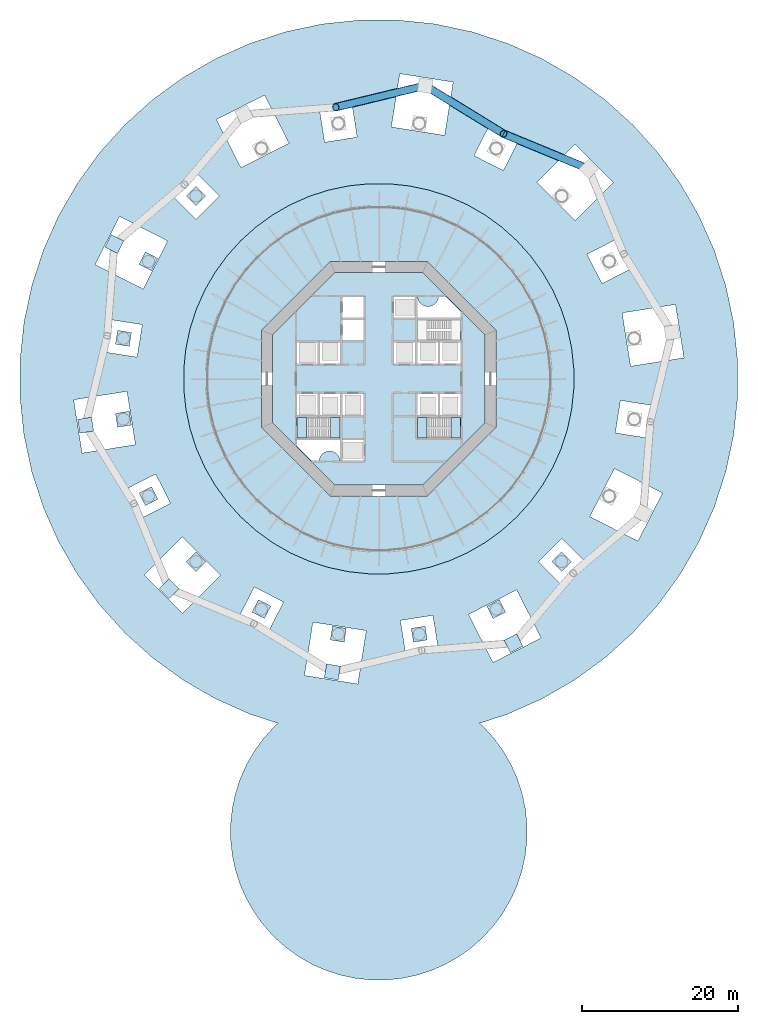
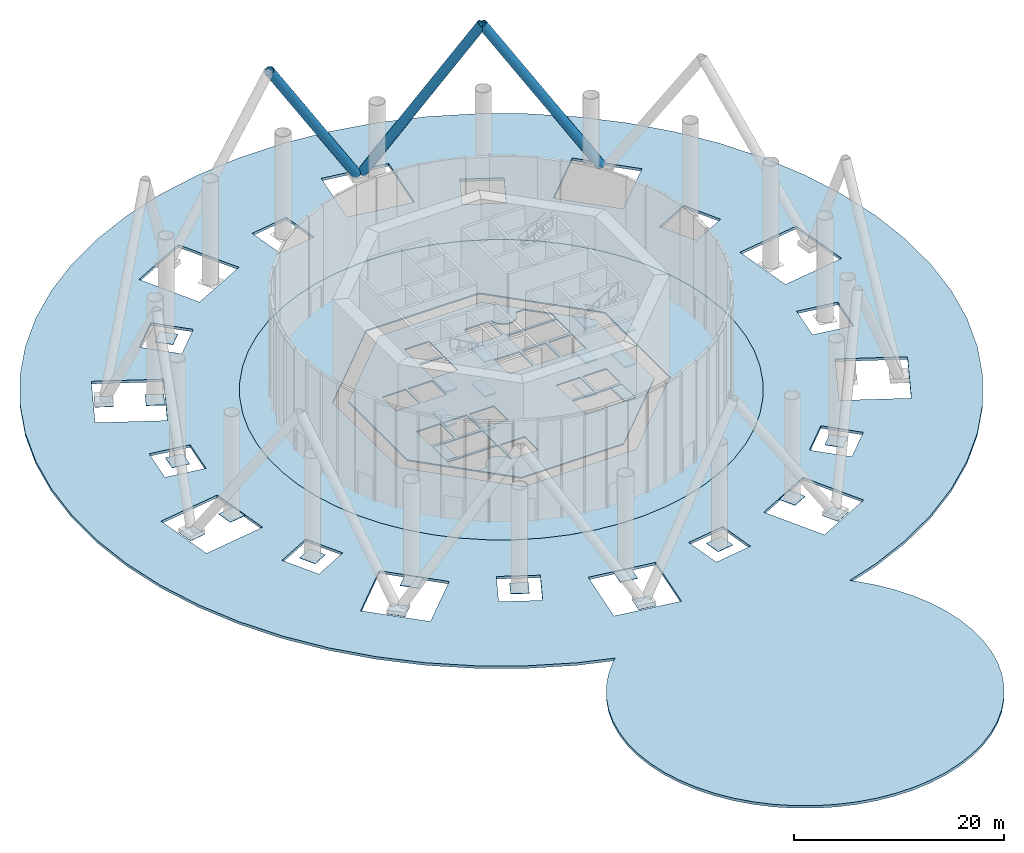
# One storey, part 2 of 12: 16 plates, 15 slabs, 3 members, 2 elements without a shape of their own.
"""IFC4 building model written with IfcOpenShell, lengths in metres."""

from ifc_helpers import new_model, si_unit, direction, frame, origin, origin_2d, place, context, subcontext, project, spatial, polyline, rectangle, circle, hollow_circle, outline, extrude, material, layer, layer_set, material_profile, profile_set, type_object, element, aggregate, save


model = new_model("IFC4")

# Units and contexts
model_context = context("Model", 3, precision=1e-05, world=origin(), true_north=direction((0.0, 1.0)))
body_context = subcontext(model_context, "Body", "Model", "MODEL_VIEW")
ifc_project = project(units=[si_unit("LENGTHUNIT", "METRE"), si_unit("AREAUNIT", "SQUARE_METRE"), si_unit("VOLUMEUNIT", "CUBIC_METRE"), si_unit("PLANEANGLEUNIT", "RADIAN"), si_unit("MASSUNIT", "GRAM", prefix="KILO")], contexts=[model_context])

# Site, building, storey
site_placement = place(None, origin())
site = spatial("IfcSite", under=ifc_project, at=site_placement, CompositionType="ELEMENT")
building_placement = place(site_placement, origin())
building = spatial("IfcBuilding", under=site, at=building_placement, Name="Entoto Ring Tower", CompositionType="ELEMENT")
storey_placement = place(building_placement, origin())
storey = spatial("IfcBuildingStorey", under=building, at=storey_placement, Name="L00", CompositionType="ELEMENT", Elevation=0.0)

# Members
ifc_material_1 = material(Name="Steel S355", Category="steel")
ifc_material_profile_1 = material_profile(ifc_material_1, hollow_circle(Radius=0.5, WallThickness=0.050048828125, at=origin_2d()), Name="CHS 1000 x 50")
ifc_material_2 = material(Name="Concrete C60/75", Category="concrete")
ifc_material_profile_2 = material_profile(ifc_material_2, circle(Radius=0.449951171875, at=origin_2d()), Name="Concrete C60/75 infill")
ifc_profile_set = profile_set([ifc_material_profile_1, ifc_material_profile_2], Name="Steel S355")
member_type = type_object("IfcMemberType", Name="Stilt leg brace 1000 x 50 concrete-filled tube", PredefinedType="BRACE", material=ifc_profile_set)
for number, where, z_axis, x_axis, name in (
    (1, (116.567626953125, 106.994873046875, 0.5), (-0.506207498888, 0.208879902804, 0.836733622053), (-0.381439083043, -0.924393977656, 0.0), "LG module 1 04"),
    (2, (96.223388671875, 117.36083984375, 0.5), (0.466521162683, -0.286753218098, 0.836738069338), (0.52365134425, 0.85193266733, 0.0), "LG module 1 05"),
):
    element("IfcMember", number, at=place(storey_placement, frame(where, z_axis=z_axis, x_axis=x_axis)), inside=storey, type_object=member_type, Name=name, PredefinedType="BRACE", context=body_context, shape_type="SweptSolid", body=[
        extrude(hollow_circle(Radius=0.5, WallThickness=0.050048828125, at=origin_2d()), origin(), (0.0, 0.0, 1.0), 20.91455078125),
    ])
member_placement = place(storey_placement, frame((95.62646484375, 117.455322265625, 0.5), z_axis=(-0.532308046081, -0.128556577959, 0.836732544091), x_axis=(0.23475861041, -0.972053699565, 0.0)))
element("IfcMember", 3, at=member_placement, inside=storey, type_object=member_type, Name="LG module 1 06", PredefinedType="BRACE", context=body_context, shape_type="SweptSolid", body=[
    extrude(hollow_circle(Radius=0.5, WallThickness=0.050048828125, at=origin_2d()), origin(), (0.0, 0.0, 1.0), 20.914794921875),
])

# Plates
ifc_material_3 = material(Name="Steel S355", Category="steel")
ifc_layer_1 = layer(ifc_material_3, 0.0400390625)
ifc_layer_set_1 = layer_set([ifc_layer_1], Name="Steel S355")
plate_type = type_object("IfcPlateType", Name="Base plate 1800 x 1800 x 40 mm", PredefinedType="USERDEFINED", material=ifc_layer_set_1)
for number, where, z_axis, x_axis, name in (
    (4, (66.5947265625, 103.4052734375, 0.0), (0.0, 0.0, 1.0), (-0.707106781187, 0.707106781187, 0.0), "BASE PLATE R08"),
    (5, (60.507568359375, 95.027099609375, 0.0), (0.0, 0.0, 1.0), (-0.891006524188, 0.45399049974, 0.0), "BASE PLATE R09"),
    (6, (57.3076171875, 85.177978515625, 0.0), (0.0, 0.0, 1.0), (-0.987688340595, 0.15643446504, 0.0), "BASE PLATE R10"),
    (7, (57.3076171875, 74.822021484375, 0.0), (0.0, 0.0, 1.0), (-0.987688340595, -0.15643446504, 0.0), "BASE PLATE R11"),
    (8, (60.507568359375, 64.972900390625, 0.0), (0.0, 0.0, 1.0), (-0.891006524188, -0.45399049974, 0.0), "BASE PLATE R12"),
    (9, (66.5947265625, 56.5947265625, 0.0), (0.0, 0.0, 1.0), (-0.707106781187, -0.707106781187, 0.0), "BASE PLATE R13"),
    (10, (74.972900390625, 50.507568359375, 0.0), (0.0, 0.0, 1.0), (-0.45399049974, -0.891006524188, 0.0), "BASE PLATE R14"),
    (11, (84.822021484375, 47.3076171875, 0.0), (0.0, 0.0, 1.0), (-0.15643446504, -0.987688340595, 0.0), "BASE PLATE R15"),
    (12, (95.177978515625, 47.3076171875, 0.0), (0.0, 0.0, 1.0), (0.15643446504, -0.987688340595, 0.0), "BASE PLATE R16"),
    (13, (105.027099609375, 50.507568359375, 0.0), (0.0, 0.0, 1.0), (0.45399049974, -0.891006524188, 0.0), "BASE PLATE R17"),
    (14, (113.4052734375, 56.5947265625, 0.0), (0.0, 0.0, 1.0), (0.707106781187, -0.707106781187, 0.0), "BASE PLATE R18"),
    (15, (56.141845703125, 97.251708984375, 0.0), (0.0, 0.0, 1.0), (-0.891006524188, 0.45399049974, 0.0), "BASE PLATE LEG 05"),
    (16, (52.4677734375, 74.055419921875, 0.0), (0.0, 0.0, 1.0), (-0.987688340595, -0.15643446504, 0.0), "BASE PLATE LEG 06"),
    (17, (63.1298828125, 53.1298828125, 0.0), (0.0, 0.0, 1.0), (-0.707106781187, -0.707106781187, 0.0), "BASE PLATE LEG 07"),
    (18, (84.055419921875, 42.4677734375, 0.0), (0.0, 0.0, 1.0), (-0.15643446504, -0.987688340595, 0.0), "BASE PLATE LEG 08"),
    (19, (107.251708984375, 46.141845703125, 0.0), (0.0, 0.0, 1.0), (0.45399049974, -0.891006524188, 0.0), "BASE PLATE LEG 09"),
):
    element("IfcPlate", number, at=place(storey_placement, frame(where, z_axis=z_axis, x_axis=x_axis)), inside=storey, type_object=plate_type, Name=name, ObjectType="BASE_PLATE", PredefinedType="USERDEFINED", context=body_context, shape_type="SweptSolid", body=[
        extrude(rectangle(XDim=1.800048828125, YDim=1.800048828125, at=origin_2d()), origin(), (0.0, 0.0, 1.0), 0.0400390625),
    ])

# Slabs
ifc_material_4 = material(Name="Concrete C30/37", Category="concrete")
ifc_layer_2 = layer(ifc_material_4, 0.14990234375)
ifc_layer_set_2 = layer_set([ifc_layer_2], Name="Concrete C30/37")
slab_type_1 = type_object("IfcSlabType", Name="Composite floor slab 150 mm", PredefinedType="FLOOR", material=ifc_layer_set_2)
slab_1_placement = place(storey_placement, frame((0.0, 0.0, -0.14990234375)))
element("IfcSlab", 20, at=slab_1_placement, inside=storey, type_object=slab_type_1, Name="Floor slab L00", PredefinedType="FLOOR", context=body_context, shape_type="SweptSolid", body=[
    extrude(outline(polyline([(114.692138671875, 83.910888671875), (114.148193359375, 86.470458984375), (113.339599609375, 88.959228515625), (112.275146484375, 91.349853515625), (110.966796875, 93.615966796875), (109.4287109375, 95.73291015625), (107.677734375, 97.677734375), (105.73291015625, 99.4287109375), (103.615966796875, 100.966796875), (101.349853515625, 102.275146484375), (98.959228515625, 103.339599609375), (96.470458984375, 104.148193359375), (93.910888671875, 104.692138671875), (91.308349609375, 104.9658203125), (88.691650390625, 104.9658203125), (86.089111328125, 104.692138671875), (83.529541015625, 104.148193359375), (81.040771484375, 103.339599609375), (78.650146484375, 102.275146484375), (76.384033203125, 100.966796875), (74.26708984375, 99.4287109375), (72.322265625, 97.677734375), (70.5712890625, 95.73291015625), (69.033203125, 93.615966796875), (67.724853515625, 91.349853515625), (66.660400390625, 88.959228515625), (65.851806640625, 86.470458984375), (65.307861328125, 83.910888671875), (65.0341796875, 81.308349609375), (65.0341796875, 78.691650390625), (65.307861328125, 76.089111328125), (65.851806640625, 73.529541015625), (66.660400390625, 71.040771484375), (67.724853515625, 68.650146484375), (69.033203125, 66.384033203125), (70.5712890625, 64.26708984375), (72.322265625, 62.322265625), (74.26708984375, 60.5712890625), (76.384033203125, 59.033203125), (78.650146484375, 57.724853515625), (81.040771484375, 56.660400390625), (83.529541015625, 55.851806640625), (86.089111328125, 55.307861328125), (88.691650390625, 55.0341796875), (91.308349609375, 55.0341796875), (93.910888671875, 55.307861328125), (96.470458984375, 55.851806640625), (98.959228515625, 56.660400390625), (101.349853515625, 57.724853515625), (103.615966796875, 59.033203125), (105.73291015625, 60.5712890625), (107.677734375, 62.322265625), (109.4287109375, 64.26708984375), (110.966796875, 66.384033203125), (112.275146484375, 68.650146484375), (113.339599609375, 71.040771484375), (114.148193359375, 73.529541015625), (114.692138671875, 76.089111328125), (114.9658203125, 78.691650390625), (114.9658203125, 81.308349609375), (114.692138671875, 83.910888671875)]), holes=[polyline([(105.0, 73.786865234375), (105.0, 86.213134765625), (96.213134765625, 95.0), (83.786865234375, 95.0), (75.0, 86.213134765625), (75.0, 73.786865234375), (83.786865234375, 65.0), (96.213134765625, 65.0), (105.0, 73.786865234375)])]), origin(), (0.0, 0.0, 1.0), 0.14990234375),
])
ifc_material_5 = material(Name="Concrete C40/50", Category="concrete")
ifc_layer_3 = layer(ifc_material_5, 0.14990234375)
ifc_layer_set_3 = layer_set([ifc_layer_3], Name="Concrete C40/50")
slab_type_2 = type_object("IfcSlabType", Name="Core floor slab 150 mm reinforced concrete C40/50", PredefinedType="FLOOR", material=ifc_layer_set_3)
slab_2_placement = place(storey_placement, frame((0.0, 0.0, -0.14990234375)))
element("IfcSlab", 21, at=slab_2_placement, inside=storey, type_object=slab_type_2, Name="Core floor L00", PredefinedType="FLOOR", context=body_context, shape_type="SweptSolid", body=[
    extrude(outline(polyline([(103.60009765625, 74.36669921875), (103.60009765625, 85.63330078125), (95.63330078125, 93.60009765625), (84.36669921875, 93.60009765625), (76.39990234375, 85.63330078125), (76.39990234375, 74.36669921875), (84.36669921875, 66.39990234375), (95.63330078125, 66.39990234375), (103.60009765625, 74.36669921875)]), holes=[polyline([(100.449951171875, 84.949951171875), (100.449951171875, 87.550048828125), (94.949951171875, 87.550048828125), (94.949951171875, 84.949951171875), (100.449951171875, 84.949951171875)]), polyline([(85.050048828125, 72.449951171875), (85.050048828125, 75.050048828125), (79.550048828125, 75.050048828125), (79.550048828125, 72.449951171875), (85.050048828125, 72.449951171875)]), polyline([(100.449951171875, 72.449951171875), (100.449951171875, 75.050048828125), (94.949951171875, 75.050048828125), (94.949951171875, 72.449951171875), (100.449951171875, 72.449951171875)]), polyline([(94.949951171875, 81.949951171875), (97.550048828125, 81.949951171875), (97.550048828125, 84.64990234375), (94.949951171875, 84.64990234375), (94.949951171875, 81.949951171875)]), polyline([(97.85009765625, 81.949951171875), (100.449951171875, 81.949951171875), (100.449951171875, 84.64990234375), (97.85009765625, 84.64990234375), (97.85009765625, 81.949951171875)]), polyline([(82.449951171875, 81.949951171875), (85.050048828125, 81.949951171875), (85.050048828125, 84.64990234375), (82.449951171875, 84.64990234375), (82.449951171875, 81.949951171875)]), polyline([(94.949951171875, 75.35009765625), (97.550048828125, 75.35009765625), (97.550048828125, 78.050048828125), (94.949951171875, 78.050048828125), (94.949951171875, 75.35009765625)]), polyline([(97.85009765625, 75.35009765625), (100.449951171875, 75.35009765625), (100.449951171875, 78.050048828125), (97.85009765625, 78.050048828125), (97.85009765625, 75.35009765625)]), polyline([(82.449951171875, 75.35009765625), (85.050048828125, 75.35009765625), (85.050048828125, 78.050048828125), (82.449951171875, 78.050048828125), (82.449951171875, 75.35009765625)]), polyline([(79.550048828125, 81.949951171875), (82.14990234375, 81.949951171875), (82.14990234375, 84.64990234375), (79.550048828125, 84.64990234375), (79.550048828125, 81.949951171875)]), polyline([(79.550048828125, 75.35009765625), (82.14990234375, 75.35009765625), (82.14990234375, 78.050048828125), (79.550048828125, 78.050048828125), (79.550048828125, 75.35009765625)]), polyline([(91.949951171875, 87.85009765625), (94.64990234375, 87.85009765625), (94.64990234375, 90.449951171875), (91.949951171875, 90.449951171875), (91.949951171875, 87.85009765625)]), polyline([(85.35009765625, 69.550048828125), (88.050048828125, 69.550048828125), (88.050048828125, 72.14990234375), (85.35009765625, 72.14990234375), (85.35009765625, 69.550048828125)]), polyline([(91.949951171875, 81.949951171875), (94.64990234375, 81.949951171875), (94.64990234375, 84.64990234375), (91.949951171875, 84.64990234375), (91.949951171875, 81.949951171875)]), polyline([(85.35009765625, 75.35009765625), (88.050048828125, 75.35009765625), (88.050048828125, 78.050048828125), (85.35009765625, 78.050048828125), (85.35009765625, 75.35009765625)]), polyline([(85.35009765625, 84.949951171875), (88.050048828125, 84.949951171875), (88.050048828125, 87.550048828125), (85.35009765625, 87.550048828125), (85.35009765625, 84.949951171875)]), polyline([(85.35009765625, 87.85009765625), (88.050048828125, 87.85009765625), (88.050048828125, 90.449951171875), (85.35009765625, 90.449951171875), (85.35009765625, 87.85009765625)]), polyline([(94.89990234375, 90.5), (94.89990234375, 87.800048828125), (100.5, 87.800048828125), (100.5, 88.591796875), (98.591796875, 90.5), (97.64501953125, 90.5), (97.6435546875, 90.4677734375), (97.6240234375, 90.336669921875), (97.591796875, 90.2080078125), (97.547119140625, 90.08349609375), (97.490478515625, 89.963623046875), (97.422607421875, 89.85009765625), (97.343505859375, 89.74365234375), (97.254638671875, 89.6455078125), (97.156494140625, 89.556396484375), (97.050048828125, 89.4775390625), (96.936279296875, 89.409423828125), (96.816650390625, 89.352783203125), (96.69189453125, 89.30810546875), (96.5634765625, 89.27587890625), (96.432373046875, 89.256591796875), (96.300048828125, 89.25), (96.167724609375, 89.256591796875), (96.03662109375, 89.27587890625), (95.908203125, 89.30810546875), (95.783447265625, 89.352783203125), (95.66357421875, 89.409423828125), (95.550048828125, 89.4775390625), (95.443603515625, 89.556396484375), (95.345458984375, 89.6455078125), (95.25634765625, 89.74365234375), (95.177490234375, 89.85009765625), (95.109375, 89.963623046875), (95.052734375, 90.08349609375), (95.008056640625, 90.2080078125), (94.975830078125, 90.336669921875), (94.95654296875, 90.4677734375), (94.954833984375, 90.5), (94.89990234375, 90.5)]), polyline([(79.5, 71.408203125), (81.408203125, 69.5), (82.35498046875, 69.5), (82.3564453125, 69.5322265625), (82.3759765625, 69.663330078125), (82.408203125, 69.7919921875), (82.452880859375, 69.91650390625), (82.509521484375, 70.036376953125), (82.577392578125, 70.14990234375), (82.656494140625, 70.25634765625), (82.745361328125, 70.3544921875), (82.843505859375, 70.443603515625), (82.949951171875, 70.5224609375), (83.063720703125, 70.590576171875), (83.183349609375, 70.647216796875), (83.30810546875, 70.69189453125), (83.4365234375, 70.72412109375), (83.567626953125, 70.743408203125), (83.699951171875, 70.75), (83.832275390625, 70.743408203125), (83.96337890625, 70.72412109375), (84.091796875, 70.69189453125), (84.216552734375, 70.647216796875), (84.33642578125, 70.590576171875), (84.449951171875, 70.5224609375), (84.556396484375, 70.443603515625), (84.654541015625, 70.3544921875), (84.74365234375, 70.25634765625), (84.822509765625, 70.14990234375), (84.890625, 70.036376953125), (84.947265625, 69.91650390625), (84.991943359375, 69.7919921875), (85.024169921875, 69.663330078125), (85.04345703125, 69.5322265625), (85.045166015625, 69.5), (85.10009765625, 69.5), (85.10009765625, 72.199951171875), (79.5, 72.199951171875), (79.5, 71.408203125)])]), origin(), (0.0, 0.0, 1.0), 0.14990234375),
])
ifc_material_6 = material(Name="Trachyte stone setts on crushed stone bed", Category="masonry")
ifc_layer_4 = layer(ifc_material_6, 0.300048828125)
ifc_layer_set_4 = layer_set([ifc_layer_4], Name="Trachyte stone setts on crushed stone bed")
slab_type_3 = type_object("IfcSlabType", Name="Plaza paving 300 mm trachyte setts", PredefinedType="USERDEFINED", material=ifc_layer_set_4)
slab_3_placement = place(storey_placement, frame((0.0, 0.0, -0.300048828125)))
element("IfcSlab", 22, at=slab_3_placement, inside=storey, type_object=slab_type_3, Name="PAVING PLAZA AND SERVICE COURT", ObjectType="PAVING", PredefinedType="USERDEFINED", context=body_context, shape_type="SweptSolid", body=[
    extrude(outline(polyline([(69.116455078125, 39.013671875), (73.51513671875, 37.055419921875), (78.09423828125, 35.5673828125), (77.07861328125, 35.8974609375), (76.56494140625, 35.43505859375), (75.234130859375, 33.95703125), (74.065185546875, 32.34814453125), (73.07080078125, 30.625732421875), (72.261962890625, 28.80908203125), (71.6474609375, 26.91748046875), (71.23388671875, 24.97216796875), (71.026123046875, 22.994384765625), (71.026123046875, 21.005615234375), (71.23388671875, 19.02783203125), (71.6474609375, 17.08251953125), (72.261962890625, 15.19091796875), (73.07080078125, 13.374267578125), (74.065185546875, 11.65185546875), (75.234130859375, 10.04296875), (76.56494140625, 8.56494140625), (78.04296875, 7.234130859375), (79.65185546875, 6.065185546875), (81.374267578125, 5.07080078125), (83.19091796875, 4.261962890625), (85.08251953125, 3.6474609375), (87.02783203125, 3.23388671875), (89.005615234375, 3.026123046875), (90.994384765625, 3.026123046875), (92.97216796875, 3.23388671875), (94.91748046875, 3.6474609375), (96.80908203125, 4.261962890625), (98.625732421875, 5.07080078125), (100.34814453125, 6.065185546875), (101.95703125, 7.234130859375), (103.43505859375, 8.56494140625), (104.765869140625, 10.04296875), (105.934814453125, 11.65185546875), (106.92919921875, 13.374267578125), (107.738037109375, 15.19091796875), (108.3525390625, 17.08251953125), (108.76611328125, 19.02783203125), (108.973876953125, 21.005615234375), (108.973876953125, 22.994384765625), (108.76611328125, 24.97216796875), (108.3525390625, 26.91748046875), (107.738037109375, 28.80908203125), (106.92919921875, 30.625732421875), (105.934814453125, 32.34814453125), (104.765869140625, 33.95703125), (103.43505859375, 35.43505859375), (102.92138671875, 35.8974609375), (101.90576171875, 35.5673828125), (106.48486328125, 37.055419921875), (110.883544921875, 39.013671875), (115.053466796875, 41.421142578125), (118.94873046875, 44.251220703125), (122.52685546875, 47.47314453125), (125.748779296875, 51.05126953125), (128.578857421875, 54.946533203125), (130.986328125, 59.116455078125), (132.944580078125, 63.51513671875), (134.4326171875, 68.09423828125), (135.43359375, 72.803955078125), (135.93701171875, 77.592529296875), (135.93701171875, 82.407470703125), (135.43359375, 87.196044921875), (134.4326171875, 91.90576171875), (132.944580078125, 96.48486328125), (130.986328125, 100.883544921875), (128.578857421875, 105.053466796875), (125.748779296875, 108.94873046875), (122.52685546875, 112.52685546875), (118.94873046875, 115.748779296875), (115.053466796875, 118.578857421875), (110.883544921875, 120.986328125), (106.48486328125, 122.944580078125), (101.90576171875, 124.4326171875), (97.196044921875, 125.43359375), (92.407470703125, 125.93701171875), (87.592529296875, 125.93701171875), (82.803955078125, 125.43359375), (78.09423828125, 124.4326171875), (73.51513671875, 122.944580078125), (69.116455078125, 120.986328125), (64.946533203125, 118.578857421875), (61.05126953125, 115.748779296875), (57.47314453125, 112.52685546875), (54.251220703125, 108.94873046875), (51.421142578125, 105.053466796875), (49.013671875, 100.883544921875), (47.055419921875, 96.48486328125), (45.5673828125, 91.90576171875), (44.56640625, 87.196044921875), (44.06298828125, 82.407470703125), (44.06298828125, 77.592529296875), (44.56640625, 72.803955078125), (45.5673828125, 68.09423828125), (47.055419921875, 63.51513671875), (49.013671875, 59.116455078125), (51.421142578125, 54.946533203125), (54.251220703125, 51.05126953125), (57.47314453125, 47.47314453125), (61.05126953125, 44.251220703125), (64.946533203125, 41.421142578125), (69.116455078125, 39.013671875)]), holes=[polyline([(72.322265625, 97.677734375), (74.26708984375, 99.4287109375), (76.384033203125, 100.966796875), (78.650146484375, 102.275146484375), (81.040771484375, 103.339599609375), (83.529541015625, 104.148193359375), (86.089111328125, 104.692138671875), (88.691650390625, 104.9658203125), (91.308349609375, 104.9658203125), (93.910888671875, 104.692138671875), (96.470458984375, 104.148193359375), (98.959228515625, 103.339599609375), (101.349853515625, 102.275146484375), (103.615966796875, 100.966796875), (105.73291015625, 99.4287109375), (107.677734375, 97.677734375), (109.4287109375, 95.73291015625), (110.966796875, 93.615966796875), (112.275146484375, 91.349853515625), (113.339599609375, 88.959228515625), (114.148193359375, 86.470458984375), (114.692138671875, 83.910888671875), (114.9658203125, 81.308349609375), (114.9658203125, 78.691650390625), (114.692138671875, 76.089111328125), (114.148193359375, 73.529541015625), (113.339599609375, 71.040771484375), (112.275146484375, 68.650146484375), (110.966796875, 66.384033203125), (109.4287109375, 64.26708984375), (107.677734375, 62.322265625), (105.73291015625, 60.5712890625), (103.615966796875, 59.033203125), (101.349853515625, 57.724853515625), (98.959228515625, 56.660400390625), (96.470458984375, 55.851806640625), (93.910888671875, 55.307861328125), (91.308349609375, 55.0341796875), (88.691650390625, 55.0341796875), (86.089111328125, 55.307861328125), (83.529541015625, 55.851806640625), (81.040771484375, 56.660400390625), (78.650146484375, 57.724853515625), (76.384033203125, 59.033203125), (74.26708984375, 60.5712890625), (72.322265625, 62.322265625), (70.5712890625, 64.26708984375), (69.033203125, 66.384033203125), (67.724853515625, 68.650146484375), (66.660400390625, 71.040771484375), (65.851806640625, 73.529541015625), (65.307861328125, 76.089111328125), (65.0341796875, 78.691650390625), (65.0341796875, 81.308349609375), (65.307861328125, 83.910888671875), (65.851806640625, 86.470458984375), (66.660400390625, 88.959228515625), (67.724853515625, 91.349853515625), (69.033203125, 93.615966796875), (70.5712890625, 95.73291015625), (72.322265625, 97.677734375)]), polyline([(122.244384765625, 81.614013671875), (121.1650390625, 88.428955078125), (127.980224609375, 89.508544921875), (129.0595703125, 82.693359375), (122.244384765625, 81.614013671875)]), polyline([(116.667724609375, 95.94482421875), (120.41015625, 97.8515625), (122.31689453125, 94.109375), (118.574462890625, 92.20263671875), (116.667724609375, 95.94482421875)]), polyline([(115.1376953125, 110.0166015625), (120.0166015625, 105.1376953125), (115.1376953125, 100.258544921875), (110.258544921875, 105.1376953125), (115.1376953125, 110.0166015625)]), polyline([(107.8515625, 110.41015625), (105.94482421875, 106.667724609375), (102.20263671875, 108.574462890625), (104.109375, 112.31689453125), (107.8515625, 110.41015625)]), polyline([(98.428955078125, 111.1650390625), (91.614013671875, 112.244384765625), (92.693359375, 119.0595703125), (99.508544921875, 117.980224609375), (98.428955078125, 111.1650390625)]), polyline([(83.076416015625, 110.289794921875), (82.41943359375, 114.438232421875), (86.567626953125, 115.09521484375), (87.224609375, 110.94677734375), (83.076416015625, 110.289794921875)]), polyline([(69.220458984375, 113.18310546875), (75.368408203125, 116.3154296875), (78.5009765625, 110.16748046875), (72.35302734375, 107.03515625), (69.220458984375, 113.18310546875)]), polyline([(66.5947265625, 106.375), (69.564697265625, 103.4052734375), (66.5947265625, 100.435302734375), (63.625, 103.4052734375), (66.5947265625, 106.375)]), polyline([(62.96484375, 97.64697265625), (59.83251953125, 91.4990234375), (53.6845703125, 94.631591796875), (56.81689453125, 100.779541015625), (62.96484375, 97.64697265625)]), polyline([(59.05322265625, 82.775390625), (54.90478515625, 83.432373046875), (55.561767578125, 87.58056640625), (59.710205078125, 86.923583984375), (59.05322265625, 82.775390625)]), polyline([(52.019775390625, 70.491455078125), (50.9404296875, 77.306640625), (57.755615234375, 78.385986328125), (58.8349609375, 71.571044921875), (52.019775390625, 70.491455078125)]), polyline([(57.68310546875, 65.890625), (61.425537109375, 67.79736328125), (63.332275390625, 64.05517578125), (59.58984375, 62.1484375), (57.68310546875, 65.890625)]), polyline([(64.8623046875, 59.741455078125), (69.741455078125, 54.8623046875), (64.8623046875, 49.9833984375), (59.9833984375, 54.8623046875), (64.8623046875, 59.741455078125)]), polyline([(77.79736328125, 51.425537109375), (75.890625, 47.68310546875), (72.1484375, 49.58984375), (74.05517578125, 53.332275390625), (77.79736328125, 51.425537109375)]), polyline([(87.306640625, 40.9404296875), (80.491455078125, 42.019775390625), (81.571044921875, 48.8349609375), (88.385986328125, 47.755615234375), (87.306640625, 40.9404296875)]), polyline([(93.432373046875, 44.90478515625), (92.775390625, 49.05322265625), (96.923583984375, 49.710205078125), (97.58056640625, 45.561767578125), (93.432373046875, 44.90478515625)]), polyline([(101.4990234375, 49.83251953125), (107.64697265625, 52.96484375), (110.779541015625, 46.81689453125), (104.631591796875, 43.6845703125), (101.4990234375, 49.83251953125)]), polyline([(113.4052734375, 59.564697265625), (116.375, 56.5947265625), (113.4052734375, 53.625), (110.435302734375, 56.5947265625), (113.4052734375, 59.564697265625)]), polyline([(126.3154296875, 65.368408203125), (123.18310546875, 59.220458984375), (117.03515625, 62.35302734375), (120.16748046875, 68.5009765625), (126.3154296875, 65.368408203125)]), polyline([(124.438232421875, 72.41943359375), (120.289794921875, 73.076416015625), (120.94677734375, 77.224609375), (125.09521484375, 76.567626953125), (124.438232421875, 72.41943359375)])]), origin(), (0.0, 0.0, 1.0), 0.300048828125),
])

# Stair, slabs
ifc_material_7 = material(Name="Concrete C40/50", Category="concrete")
stair_type = type_object("IfcStairType", Name="Exit stair 1200 mm dog-leg reinforced concrete", PredefinedType="HALF_TURN_STAIR", material=ifc_material_7)
stair_1_placement = place(storey_placement, origin())
stair_1 = element("IfcStair", 23, at=stair_1_placement, inside=storey, type_object=stair_type, Name="Exit stair 2", PredefinedType="HALF_TURN_STAIR")
ifc_material_8 = material(Name="Concrete C40/50", Category="concrete")
ifc_layer_5 = layer(ifc_material_8, 0.199951171875)
ifc_layer_set_5 = layer_set([ifc_layer_5], Name="Concrete C40/50")
slab_type_4 = type_object("IfcSlabType", Name="Stair landing 200 mm reinforced concrete", PredefinedType="LANDING", material=ifc_layer_set_5)
slab_4_placement = place(storey_placement, frame((0.0, 0.0, -0.199951171875)))
slab_4 = element("IfcSlab", 24, at=slab_4_placement, type_object=slab_type_4, Name="ST2 landing 1", PredefinedType="LANDING", context=body_context, shape_type="SweptSolid", body=[
    extrude(outline(polyline([(80.75, 72.449951171875), (80.75, 75.050048828125), (79.550048828125, 75.050048828125), (79.550048828125, 72.449951171875), (80.75, 72.449951171875)])), origin(), (0.0, 0.0, 1.0), 0.199951171875),
])
slab_5_placement = place(storey_placement, frame((0.0, 0.0, 1.800048828125)))
slab_5 = element("IfcSlab", 25, at=slab_5_placement, type_object=slab_type_4, Name="ST2 landing 2", PredefinedType="LANDING", context=body_context, shape_type="SweptSolid", body=[
    extrude(outline(polyline([(83.830078125, 72.449951171875), (85.050048828125, 72.449951171875), (85.050048828125, 75.050048828125), (83.830078125, 75.050048828125), (83.830078125, 72.449951171875)])), origin(), (0.0, 0.0, 1.0), 0.199951171875),
])
slab_6_placement = place(storey_placement, frame((0.0, 0.0, 3.800048828125)))
slab_6 = element("IfcSlab", 26, at=slab_6_placement, type_object=slab_type_4, Name="ST2 landing 3", PredefinedType="LANDING", context=body_context, shape_type="SweptSolid", body=[
    extrude(outline(polyline([(79.550048828125, 72.449951171875), (80.75, 72.449951171875), (80.75, 75.050048828125), (79.550048828125, 75.050048828125), (79.550048828125, 72.449951171875)])), origin(), (0.0, 0.0, 1.0), 0.199951171875),
])
slab_7_placement = place(storey_placement, frame((0.0, 0.0, 5.800048828125)))
slab_7 = element("IfcSlab", 27, at=slab_7_placement, type_object=slab_type_4, Name="ST2 landing 4", PredefinedType="LANDING", context=body_context, shape_type="SweptSolid", body=[
    extrude(outline(polyline([(83.830078125, 72.449951171875), (85.050048828125, 72.449951171875), (85.050048828125, 75.050048828125), (83.830078125, 75.050048828125), (83.830078125, 72.449951171875)])), origin(), (0.0, 0.0, 1.0), 0.199951171875),
])
slab_8_placement = place(storey_placement, frame((0.0, 0.0, 7.800048828125)))
slab_8 = element("IfcSlab", 28, at=slab_8_placement, type_object=slab_type_4, Name="ST2 landing 5", PredefinedType="LANDING", context=body_context, shape_type="SweptSolid", body=[
    extrude(outline(polyline([(79.550048828125, 72.449951171875), (80.75, 72.449951171875), (80.75, 75.050048828125), (79.550048828125, 75.050048828125), (79.550048828125, 72.449951171875)])), origin(), (0.0, 0.0, 1.0), 0.199951171875),
])
slab_9_placement = place(storey_placement, frame((0.0, 0.0, 9.800048828125)))
slab_9 = element("IfcSlab", 29, at=slab_9_placement, type_object=slab_type_4, Name="ST2 landing 6", PredefinedType="LANDING", context=body_context, shape_type="SweptSolid", body=[
    extrude(outline(polyline([(83.830078125, 72.449951171875), (85.050048828125, 72.449951171875), (85.050048828125, 75.050048828125), (83.830078125, 75.050048828125), (83.830078125, 72.449951171875)])), origin(), (0.0, 0.0, 1.0), 0.199951171875),
])
aggregate(stair_1, [slab_4, slab_5, slab_6, slab_7, slab_8, slab_9])

stair_2_placement = place(storey_placement, origin())
stair_2 = element("IfcStair", 30, at=stair_2_placement, inside=storey, type_object=stair_type, Name="Exit stair 3", PredefinedType="HALF_TURN_STAIR")
slab_10_placement = place(storey_placement, frame((0.0, 0.0, -0.199951171875)))
slab_10 = element("IfcSlab", 31, at=slab_10_placement, type_object=slab_type_4, Name="ST3 landing 1", PredefinedType="LANDING", context=body_context, shape_type="SweptSolid", body=[
    extrude(outline(polyline([(100.449951171875, 72.449951171875), (100.449951171875, 75.050048828125), (99.25, 75.050048828125), (99.25, 72.449951171875), (100.449951171875, 72.449951171875)])), origin(), (0.0, 0.0, 1.0), 0.199951171875),
])
slab_11_placement = place(storey_placement, frame((0.0, 0.0, 1.800048828125)))
slab_11 = element("IfcSlab", 32, at=slab_11_placement, type_object=slab_type_4, Name="ST3 landing 2", PredefinedType="LANDING", context=body_context, shape_type="SweptSolid", body=[
    extrude(outline(polyline([(94.949951171875, 72.449951171875), (96.169921875, 72.449951171875), (96.169921875, 75.050048828125), (94.949951171875, 75.050048828125), (94.949951171875, 72.449951171875)])), origin(), (0.0, 0.0, 1.0), 0.199951171875),
])
slab_12_placement = place(storey_placement, frame((0.0, 0.0, 3.800048828125)))
slab_12 = element("IfcSlab", 33, at=slab_12_placement, type_object=slab_type_4, Name="ST3 landing 3", PredefinedType="LANDING", context=body_context, shape_type="SweptSolid", body=[
    extrude(outline(polyline([(99.25, 72.449951171875), (100.449951171875, 72.449951171875), (100.449951171875, 75.050048828125), (99.25, 75.050048828125), (99.25, 72.449951171875)])), origin(), (0.0, 0.0, 1.0), 0.199951171875),
])
slab_13_placement = place(storey_placement, frame((0.0, 0.0, 5.800048828125)))
slab_13 = element("IfcSlab", 34, at=slab_13_placement, type_object=slab_type_4, Name="ST3 landing 4", PredefinedType="LANDING", context=body_context, shape_type="SweptSolid", body=[
    extrude(outline(polyline([(94.949951171875, 72.449951171875), (96.169921875, 72.449951171875), (96.169921875, 75.050048828125), (94.949951171875, 75.050048828125), (94.949951171875, 72.449951171875)])), origin(), (0.0, 0.0, 1.0), 0.199951171875),
])
slab_14_placement = place(storey_placement, frame((0.0, 0.0, 7.800048828125)))
slab_14 = element("IfcSlab", 35, at=slab_14_placement, type_object=slab_type_4, Name="ST3 landing 5", PredefinedType="LANDING", context=body_context, shape_type="SweptSolid", body=[
    extrude(outline(polyline([(99.25, 72.449951171875), (100.449951171875, 72.449951171875), (100.449951171875, 75.050048828125), (99.25, 75.050048828125), (99.25, 72.449951171875)])), origin(), (0.0, 0.0, 1.0), 0.199951171875),
])
slab_15_placement = place(storey_placement, frame((0.0, 0.0, 9.800048828125)))
slab_15 = element("IfcSlab", 36, at=slab_15_placement, type_object=slab_type_4, Name="ST3 landing 6", PredefinedType="LANDING", context=body_context, shape_type="SweptSolid", body=[
    extrude(outline(polyline([(94.949951171875, 72.449951171875), (96.169921875, 72.449951171875), (96.169921875, 75.050048828125), (94.949951171875, 75.050048828125), (94.949951171875, 72.449951171875)])), origin(), (0.0, 0.0, 1.0), 0.199951171875),
])
aggregate(stair_2, [slab_10, slab_11, slab_12, slab_13, slab_14, slab_15])

save(model, "model.ifc")
